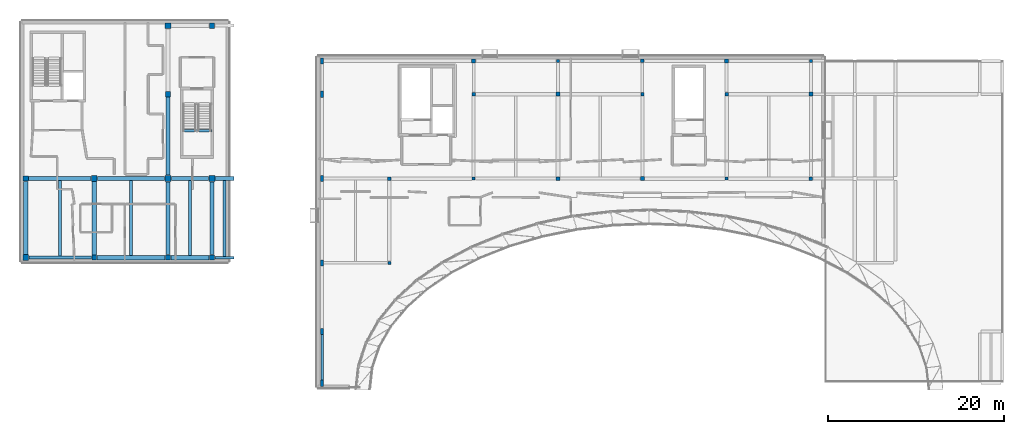
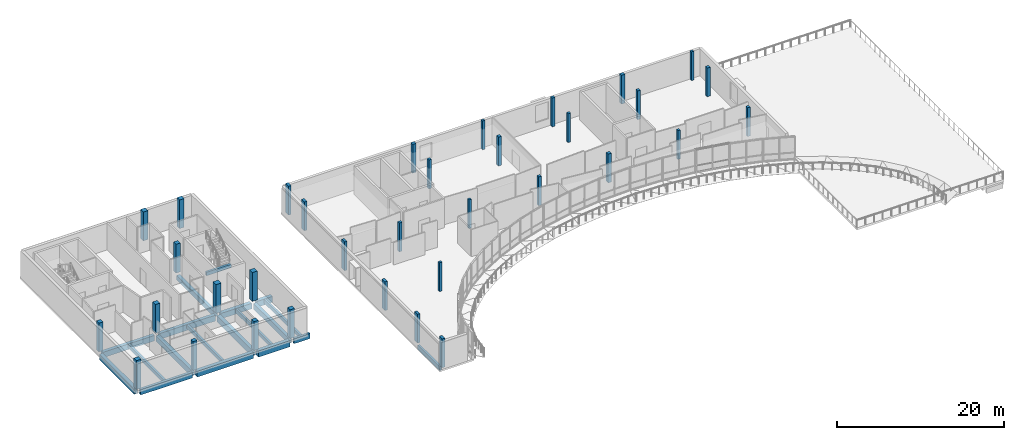
# One storey, part 1 of 18: 34 columns, 19 beams.
"""IFC4 building model written with IfcOpenShell, lengths in metres."""

from ifc_helpers import new_model, si_unit, direction, frame, origin, origin_2d, place, context, subcontext, project, spatial, rectangle, extrude, material, material_profile, profile_set, type_object, element, save


model = new_model("IFC4")

# Units and contexts
model_context = context("Model", 3, precision=1e-05, world=origin(), true_north=direction((0.0, 1.0)))
body_context = subcontext(model_context, "Body", "Model", "MODEL_VIEW")
ifc_project = project(units=[si_unit("LENGTHUNIT", "METRE"), si_unit("AREAUNIT", "SQUARE_METRE"), si_unit("VOLUMEUNIT", "CUBIC_METRE"), si_unit("PLANEANGLEUNIT", "RADIAN"), si_unit("MASSUNIT", "GRAM", prefix="KILO")], contexts=[model_context])

# Site, building, storey
site_placement = place(None, origin())
site = spatial("IfcSite", under=ifc_project, at=site_placement, CompositionType="ELEMENT")
building_placement = place(site_placement, origin())
building = spatial("IfcBuilding", under=site, at=building_placement, Name="Mzevani Central Library", CompositionType="ELEMENT")
storey_placement = place(building_placement, frame((0.0, 0.0, 18.300048828125)))
storey = spatial("IfcBuildingStorey", under=building, at=storey_placement, Name="L04", CompositionType="ELEMENT", Elevation=18.300048828125)

# Columns
ifc_material_1 = material(Name="Concrete C40/50", Category="concrete")
ifc_material_profile_1 = material_profile(ifc_material_1, rectangle(XDim=0.35009765625, YDim=0.35009765625, at=origin_2d()), Name="RC 350x350")
ifc_profile_set_1 = profile_set([ifc_material_profile_1], Name="Concrete C40/50")
column_type_1 = type_object("IfcColumnType", Name="Column RC 350x350", PredefinedType="COLUMN", material=ifc_profile_set_1)
for number, where, z_axis, x_axis, name in (
    (1, (54.39990234375, 90.39990234375, 0.0), (0.0, 0.0, 1.0), (1.0, 0.0, 0.0), "L04 V3 Column C-01 (108)"),
    (2, (64.0, 100.0, 0.0), (0.0, 0.0, 1.0), (1.0, 0.0, 0.0), "L04 V3 Column C-01 (111)"),
    (3, (73.60009765625, 113.39990234375, 0.0), (0.0, 0.0, 1.0), (1.0, 0.0, 0.0), "L04 V3 Column C-01 (117)"),
    (4, (83.199951171875, 109.60009765625, 0.0), (0.0, 0.0, 1.0), (1.0, 0.0, 0.0), "L04 V3 Column C-01 (120)"),
    (5, (92.800048828125, 100.0, 0.0), (0.0, 0.0, 1.0), (1.0, 0.0, 0.0), "L04 V3 Column C-01 (123)"),
    (6, (102.39990234375, 113.39990234375, 0.0), (0.0, 0.0, 1.0), (1.0, 0.0, 0.0), "L04 V3 Column C-01 (129)"),
):
    element("IfcColumn", number, at=place(storey_placement, frame(where, z_axis=z_axis, x_axis=x_axis)), inside=storey, type_object=column_type_1, Name=name, PredefinedType="COLUMN", context=body_context, shape_type="SweptSolid", body=[
        extrude(rectangle(XDim=0.35009765625, YDim=0.35009765625, at=origin_2d()), origin(), (0.0, 0.0, 1.0), 4.199951171875),
    ])
ifc_material_profile_2 = material_profile(ifc_material_1, rectangle(XDim=0.39990234375, YDim=0.39990234375, at=origin_2d()), Name="RC 400x400")
ifc_profile_set_2 = profile_set([ifc_material_profile_2], Name="Concrete C40/50")
column_type_2 = type_object("IfcColumnType", Name="Column RC 400x400", PredefinedType="COLUMN", material=ifc_profile_set_2)
for number, where, z_axis, x_axis, name in (
    (7, (54.39990234375, 100.0, 0.0), (0.0, 0.0, 1.0), (1.0, 0.0, 0.0), "L04 V3 Column C-02 (109)"),
    (8, (64.0, 109.60009765625, 0.0), (0.0, 0.0, 1.0), (1.0, 0.0, 0.0), "L04 V3 Column C-02 (112)"),
    (9, (73.60009765625, 100.0, 0.0), (0.0, 0.0, 1.0), (1.0, 0.0, 0.0), "L04 V3 Column C-02 (115)"),
    (10, (83.199951171875, 113.39990234375, 0.0), (0.0, 0.0, 1.0), (1.0, 0.0, 0.0), "L04 V3 Column C-02 (121)"),
    (11, (92.800048828125, 109.60009765625, 0.0), (0.0, 0.0, 1.0), (1.0, 0.0, 0.0), "L04 V3 Column C-02 (124)"),
    (12, (102.39990234375, 100.0, 0.0), (0.0, 0.0, 1.0), (1.0, 0.0, 0.0), "L04 V3 Column C-02 (127)"),
):
    element("IfcColumn", number, at=place(storey_placement, frame(where, z_axis=z_axis, x_axis=x_axis)), inside=storey, type_object=column_type_2, Name=name, PredefinedType="COLUMN", context=body_context, shape_type="SweptSolid", body=[
        extrude(rectangle(XDim=0.39990234375, YDim=0.39990234375, at=origin_2d()), origin(), (0.0, 0.0, 1.0), 4.199951171875),
    ])
ifc_material_profile_3 = material_profile(ifc_material_1, rectangle(XDim=0.449951171875, YDim=0.449951171875, at=origin_2d()), Name="RC 450x450")
ifc_profile_set_3 = profile_set([ifc_material_profile_3], Name="Concrete C40/50")
column_type_3 = type_object("IfcColumnType", Name="Column RC 450x450", PredefinedType="COLUMN", material=ifc_profile_set_3)
for number, where, z_axis, x_axis, name in (
    (13, (64.0, 113.39990234375, 0.0), (0.0, 0.0, 1.0), (1.0, 0.0, 0.0), "L04 V3 Column C-03 (113)"),
    (14, (73.60009765625, 109.60009765625, 0.0), (0.0, 0.0, 1.0), (1.0, 0.0, 0.0), "L04 V3 Column C-03 (116)"),
    (15, (83.199951171875, 100.0, 0.0), (0.0, 0.0, 1.0), (1.0, 0.0, 0.0), "L04 V3 Column C-03 (119)"),
    (16, (92.800048828125, 113.39990234375, 0.0), (0.0, 0.0, 1.0), (1.0, 0.0, 0.0), "L04 V3 Column C-03 (125)"),
    (17, (102.39990234375, 109.60009765625, 0.0), (0.0, 0.0, 1.0), (1.0, 0.0, 0.0), "L04 V3 Column C-03 (128)"),
):
    element("IfcColumn", number, at=place(storey_placement, frame(where, z_axis=z_axis, x_axis=x_axis)), inside=storey, type_object=column_type_3, Name=name, PredefinedType="COLUMN", context=body_context, shape_type="SweptSolid", body=[
        extrude(rectangle(XDim=0.449951171875, YDim=0.449951171875, at=origin_2d()), origin(), (0.0, 0.0, 1.0), 4.199951171875),
    ])
ifc_material_profile_4 = material_profile(ifc_material_1, rectangle(XDim=0.550048828125, YDim=0.550048828125, at=origin_2d()), Name="RC 550x550")
ifc_profile_set_4 = profile_set([ifc_material_profile_4], Name="Concrete C40/50")
column_type_4 = type_object("IfcColumnType", Name="Column RC 550x550", PredefinedType="COLUMN", material=ifc_profile_set_4)
column_placement = place(storey_placement, frame((20.800048828125, 91.0, 0.0), z_axis=(0.0, 0.0, 1.0), x_axis=(1.0, 0.0, 0.0)))
element("IfcColumn", 18, at=column_placement, inside=storey, type_object=column_type_4, Name="L04 V2 Column C-05 (75)", PredefinedType="COLUMN", context=body_context, shape_type="SweptSolid", body=[
    extrude(rectangle(XDim=0.550048828125, YDim=0.550048828125, at=origin_2d()), origin(), (0.0, 0.0, 1.0), 4.199951171875),
])
ifc_material_profile_5 = material_profile(ifc_material_1, rectangle(XDim=0.60009765625, YDim=0.60009765625, at=origin_2d()), Name="RC 600x600")
ifc_profile_set_5 = profile_set([ifc_material_profile_5], Name="Concrete C40/50")
column_type_5 = type_object("IfcColumnType", Name="Column RC 600x600", PredefinedType="COLUMN", material=ifc_profile_set_5)
for number, where, z_axis, x_axis, name in (
    (19, (13.0, 100.0, 0.0), (0.0, 0.0, 1.0), (1.0, 0.0, 0.0), "L04 V2 Column C-06 (72)"),
    (20, (29.199951171875, 91.0, 0.0), (0.0, 0.0, 1.0), (1.0, 0.0, 0.0), "L04 V2 Column C-06 (79)"),
    (21, (29.199951171875, 109.60009765625, 0.0), (0.0, 0.0, 1.0), (1.0, 0.0, 0.0), "L04 V2 Column C-06 (81)"),
    (22, (34.199951171875, 91.0, 0.0), (0.0, 0.0, 1.0), (1.0, 0.0, 0.0), "L04 V2 Column C-06 (85)"),
    (23, (34.199951171875, 117.39990234375, 0.0), (0.0, 0.0, 1.0), (1.0, 0.0, 0.0), "L04 V2 Column C-06 (87)"),
):
    element("IfcColumn", number, at=place(storey_placement, frame(where, z_axis=z_axis, x_axis=x_axis)), inside=storey, type_object=column_type_5, Name=name, PredefinedType="COLUMN", context=body_context, shape_type="SweptSolid", body=[
        extrude(rectangle(XDim=0.60009765625, YDim=0.60009765625, at=origin_2d()), origin(), (0.0, 0.0, 1.0), 4.199951171875),
    ])
ifc_material_profile_6 = material_profile(ifc_material_1, rectangle(XDim=0.64990234375, YDim=0.64990234375, at=origin_2d()), Name="RC 650x650")
ifc_profile_set_6 = profile_set([ifc_material_profile_6], Name="Concrete C40/50")
column_type_6 = type_object("IfcColumnType", Name="Column RC 650x650", PredefinedType="COLUMN", material=ifc_profile_set_6)
for number, where, z_axis, x_axis, name in (
    (24, (13.0, 91.0, 0.0), (0.0, 0.0, 1.0), (1.0, 0.0, 0.0), "L04 V2 Column C-07 (71)"),
    (25, (20.800048828125, 100.0, 0.0), (0.0, 0.0, 1.0), (1.0, 0.0, 0.0), "L04 V2 Column C-07 (76)"),
    (26, (29.199951171875, 117.39990234375, 0.0), (0.0, 0.0, 1.0), (1.0, 0.0, 0.0), "L04 V2 Column C-07 (82)"),
):
    element("IfcColumn", number, at=place(storey_placement, frame(where, z_axis=z_axis, x_axis=x_axis)), inside=storey, type_object=column_type_6, Name=name, PredefinedType="COLUMN", context=body_context, shape_type="SweptSolid", body=[
        extrude(rectangle(XDim=0.64990234375, YDim=0.64990234375, at=origin_2d()), origin(), (0.0, 0.0, 1.0), 4.199951171875),
    ])
ifc_material_profile_7 = material_profile(ifc_material_1, rectangle(XDim=0.699951171875, YDim=0.699951171875, at=origin_2d()), Name="RC 700x700")
ifc_profile_set_7 = profile_set([ifc_material_profile_7], Name="Concrete C40/50")
column_type_7 = type_object("IfcColumnType", Name="Column RC 700x700", PredefinedType="COLUMN", material=ifc_profile_set_7)
for number, where, z_axis, x_axis, name in (
    (27, (29.199951171875, 100.0, 0.0), (0.0, 0.0, 1.0), (1.0, 0.0, 0.0), "L04 V2 Column C-08 (80)"),
    (28, (34.199951171875, 100.0, 0.0), (0.0, 0.0, 1.0), (1.0, 0.0, 0.0), "L04 V2 Column C-08 (86)"),
):
    element("IfcColumn", number, at=place(storey_placement, frame(where, z_axis=z_axis, x_axis=x_axis)), inside=storey, type_object=column_type_7, Name=name, PredefinedType="COLUMN", context=body_context, shape_type="SweptSolid", body=[
        extrude(rectangle(XDim=0.699951171875, YDim=0.699951171875, at=origin_2d()), origin(), (0.0, 0.0, 1.0), 4.199951171875),
    ])
ifc_material_profile_8 = material_profile(ifc_material_1, rectangle(XDim=0.35009765625, YDim=0.699951171875, at=origin_2d()), Name="RC 350x700")
ifc_profile_set_8 = profile_set([ifc_material_profile_8], Name="Concrete C40/50")
column_type_8 = type_object("IfcColumnType", Name="Joint Twin Column RC 350x700", PredefinedType="COLUMN", material=ifc_profile_set_8)
for number, where, z_axis, x_axis, name in (
    (29, (46.75, 76.699951171875, 0.0), (0.0, 0.0, 1.0), (1.0, 0.0, 0.0), "L04 V3 Column C-18 (100)"),
    (30, (46.75, 82.60009765625, 0.0), (0.0, 0.0, 1.0), (1.0, 0.0, 0.0), "L04 V3 Column C-18 (101)"),
    (31, (46.75, 90.39990234375, 0.0), (0.0, 0.0, 1.0), (1.0, 0.0, 0.0), "L04 V3 Column C-18 (102)"),
    (32, (46.75, 100.0, 0.0), (0.0, 0.0, 1.0), (1.0, 0.0, 0.0), "L04 V3 Column C-18 (103)"),
    (33, (46.75, 109.60009765625, 0.0), (0.0, 0.0, 1.0), (1.0, 0.0, 0.0), "L04 V3 Column C-18 (104)"),
    (34, (46.75, 113.39990234375, 0.0), (0.0, 0.0, 1.0), (1.0, 0.0, 0.0), "L04 V3 Column C-18 (105)"),
):
    element("IfcColumn", number, at=place(storey_placement, frame(where, z_axis=z_axis, x_axis=x_axis)), inside=storey, type_object=column_type_8, Name=name, PredefinedType="COLUMN", context=body_context, shape_type="SweptSolid", body=[
        extrude(rectangle(XDim=0.35009765625, YDim=0.699951171875, at=origin_2d()), origin(), (0.0, 0.0, 1.0), 4.199951171875),
    ])

# Beams
ifc_material_2 = material(Name="Concrete C35/45", Category="concrete")
ifc_material_profile_9 = material_profile(ifc_material_2, rectangle(XDim=0.300048828125, YDim=0.5, at=origin_2d()), Name="RC B300x500")
ifc_profile_set_9 = profile_set([ifc_material_profile_9], Name="Concrete C35/45")
beam_type_1 = type_object("IfcBeamType", Name="Beam RC 300x500", PredefinedType="BEAM", material=ifc_profile_set_9)
beam_1_placement = place(storey_placement, frame((30.780029296875, 105.419921875, 1.64990234375), z_axis=(1.0, 0.0, 0.0), x_axis=(0.0, 1.0, 0.0)))
element("IfcBeam", 35, at=beam_1_placement, inside=storey, type_object=beam_type_1, Name="L04 Core C2B Stacks East Escape Stair Stair Landing Beam 1", PredefinedType="BEAM", context=body_context, shape_type="SweptSolid", body=[
    extrude(rectangle(XDim=0.300048828125, YDim=0.5, at=origin_2d()), origin(), (0.0, 0.0, 1.0), 3.43994140625),
])
ifc_material_profile_10 = material_profile(ifc_material_2, rectangle(XDim=0.300048828125, YDim=0.60009765625, at=origin_2d()), Name="RC B300x600")
ifc_profile_set_10 = profile_set([ifc_material_profile_10], Name="Concrete C35/45")
beam_type_2 = type_object("IfcBeamType", Name="Beam RC 300x600", PredefinedType="BEAM", material=ifc_profile_set_10)
beam_2_placement = place(storey_placement, frame((46.75, 77.050048828125, -0.580078125), z_axis=(0.0, 1.0, 0.0), x_axis=(-1.0, 0.0, 0.0)))
element("IfcBeam", 36, at=beam_2_placement, inside=storey, type_object=beam_type_2, Name="L04 V3 Frame Beam B-03 (730)", PredefinedType="BEAM", context=body_context, shape_type="SweptSolid", body=[
    extrude(rectangle(XDim=0.300048828125, YDim=0.60009765625, at=origin_2d()), origin(), (0.0, 0.0, 1.0), 5.199951171875),
])
ifc_material_3 = material(Name="Precast concrete C40/50", Category="concrete")
ifc_material_profile_11 = material_profile(ifc_material_3, rectangle(XDim=0.35009765625, YDim=0.800048828125, at=origin_2d()), Name="RC SP350x800")
ifc_profile_set_11 = profile_set([ifc_material_profile_11], Name="Precast concrete C40/50")
beam_type_3 = type_object("IfcBeamType", Name="Colonnade Fascia Beam RC 350x800", PredefinedType="SPANDREL", material=ifc_profile_set_11)
beam_3_placement = place(storey_placement, frame((13.35009765625, 91.0, -0.719970703125), z_axis=(1.0, 0.0, 0.0), x_axis=(0.0, 1.0, 0.0)))
element("IfcBeam", 37, at=beam_3_placement, inside=storey, type_object=beam_type_3, Name="L04 V2 Girder SP-02 (375)", PredefinedType="SPANDREL", context=body_context, shape_type="SweptSolid", body=[
    extrude(rectangle(XDim=0.35009765625, YDim=0.800048828125, at=origin_2d()), origin(), (0.0, 0.0, 1.0), 7.14990234375),
])
ifc_material_profile_12 = material_profile(ifc_material_3, rectangle(XDim=0.300048828125, YDim=0.75, at=origin_2d()), Name="RC SP300x750")
ifc_profile_set_12 = profile_set([ifc_material_profile_12], Name="Precast concrete C40/50")
beam_type_4 = type_object("IfcBeamType", Name="Edge Spandrel Beam RC 300x750", PredefinedType="SPANDREL", material=ifc_profile_set_12)
beam_4_placement = place(storey_placement, frame((34.52490234375, 91.0, -0.695068359375), z_axis=(1.0, 0.0, 0.0), x_axis=(0.0, 1.0, 0.0)))
element("IfcBeam", 38, at=beam_4_placement, inside=storey, type_object=beam_type_4, Name="L04 V2 Girder SP-01 (378)", PredefinedType="SPANDREL", context=body_context, shape_type="SweptSolid", body=[
    extrude(rectangle(XDim=0.300048828125, YDim=0.75, at=origin_2d()), origin(), (0.0, 0.0, 1.0), 2.2001953125),
])
ifc_material_profile_13 = material_profile(ifc_material_1, rectangle(XDim=0.449951171875, YDim=0.699951171875, at=origin_2d()), Name="RC B450x700")
ifc_profile_set_13 = profile_set([ifc_material_profile_13], Name="Concrete C40/50")
beam_type_5 = type_object("IfcBeamType", Name="Stack Girder RC 450x700", PredefinedType="BEAM", material=ifc_profile_set_13)
beam_5_placement = place(storey_placement, frame((29.199951171875, 100.375, -0.670166015625), z_axis=(0.0, 1.0, 0.0), x_axis=(-1.0, 0.0, 0.0)))
element("IfcBeam", 39, at=beam_5_placement, inside=storey, type_object=beam_type_5, Name="L04 V2 Frame Beam BG-01 (392)", PredefinedType="BEAM", context=body_context, shape_type="SweptSolid", body=[
    extrude(rectangle(XDim=0.449951171875, YDim=0.699951171875, at=origin_2d()), origin(), (0.0, 0.0, 1.0), 8.89990234375),
])
ifc_material_profile_14 = material_profile(ifc_material_1, rectangle(XDim=0.449951171875, YDim=0.800048828125, at=origin_2d()), Name="RC B450x800")
ifc_profile_set_14 = profile_set([ifc_material_profile_14], Name="Concrete C40/50")
beam_type_6 = type_object("IfcBeamType", Name="Stack Girder RC 450x800", PredefinedType="BEAM", material=ifc_profile_set_14)
beam_6_placement = place(storey_placement, frame((13.324951171875, 100.0, -0.719970703125), z_axis=(1.0, 0.0, 0.0), x_axis=(0.0, 1.0, 0.0)))
element("IfcBeam", 40, at=beam_6_placement, inside=storey, type_object=beam_type_6, Name="L04 V2 Girder BG-03 (380)", PredefinedType="BEAM", context=body_context, shape_type="SweptSolid", body=[
    extrude(rectangle(XDim=0.449951171875, YDim=0.800048828125, at=origin_2d()), origin(), (0.0, 0.0, 1.0), 7.125),
])
beam_7_placement = place(storey_placement, frame((34.199951171875, 91.324951171875, -0.719970703125), z_axis=(0.0, 1.0, 0.0), x_axis=(-1.0, 0.0, 0.0)))
element("IfcBeam", 41, at=beam_7_placement, inside=storey, type_object=beam_type_6, Name="L04 V2 Frame Beam BG-03 (394)", PredefinedType="BEAM", context=body_context, shape_type="SweptSolid", body=[
    extrude(rectangle(XDim=0.449951171875, YDim=0.800048828125, at=origin_2d()), origin(), (0.0, 0.0, 1.0), 8.300048828125),
])
ifc_material_profile_15 = material_profile(ifc_material_1, rectangle(XDim=0.449951171875, YDim=0.85009765625, at=origin_2d()), Name="RC B450x850")
ifc_profile_set_15 = profile_set([ifc_material_profile_15], Name="Concrete C40/50")
beam_type_7 = type_object("IfcBeamType", Name="Stack Girder RC 450x850", PredefinedType="BEAM", material=ifc_profile_set_15)
beam_8_placement = place(storey_placement, frame((21.14990234375, 100.0, -0.7451171875), z_axis=(1.0, 0.0, 0.0), x_axis=(0.0, 1.0, 0.0)))
element("IfcBeam", 42, at=beam_8_placement, inside=storey, type_object=beam_type_7, Name="L04 V2 Girder BG-04 (381)", PredefinedType="BEAM", context=body_context, shape_type="SweptSolid", body=[
    extrude(rectangle(XDim=0.449951171875, YDim=0.85009765625, at=origin_2d()), origin(), (0.0, 0.0, 1.0), 7.675048828125),
])
ifc_material_profile_16 = material_profile(ifc_material_1, rectangle(XDim=0.5, YDim=0.800048828125, at=origin_2d()), Name="RC B500x800")
ifc_profile_set_16 = profile_set([ifc_material_profile_16], Name="Concrete C40/50")
beam_type_8 = type_object("IfcBeamType", Name="Stack Girder RC 500x800", PredefinedType="BEAM", material=ifc_profile_set_16)
beam_9_placement = place(storey_placement, frame((29.574951171875, 100.0, -0.719970703125), z_axis=(1.0, 0.0, 0.0), x_axis=(0.0, 1.0, 0.0)))
element("IfcBeam", 43, at=beam_9_placement, inside=storey, type_object=beam_type_8, Name="L04 V2 Girder BG-05 (382)", PredefinedType="BEAM", context=body_context, shape_type="SweptSolid", body=[
    extrude(rectangle(XDim=0.5, YDim=0.800048828125, at=origin_2d()), origin(), (0.0, 0.0, 1.0), 4.25),
])
beam_10_placement = place(storey_placement, frame((13.0, 91.35009765625, -0.719970703125), z_axis=(0.0, 1.0, 0.0), x_axis=(-1.0, 0.0, 0.0)))
element("IfcBeam", 44, at=beam_10_placement, inside=storey, type_object=beam_type_8, Name="L04 V2 Frame Beam BG-05 (389)", PredefinedType="BEAM", context=body_context, shape_type="SweptSolid", body=[
    extrude(rectangle(XDim=0.5, YDim=0.800048828125, at=origin_2d()), origin(), (0.0, 0.0, 1.0), 8.324951171875),
])
ifc_material_profile_17 = material_profile(ifc_material_1, rectangle(XDim=0.5, YDim=0.85009765625, at=origin_2d()), Name="RC B500x850")
ifc_profile_set_17 = profile_set([ifc_material_profile_17], Name="Concrete C40/50")
beam_type_9 = type_object("IfcBeamType", Name="Stack Girder RC 500x850", PredefinedType="BEAM", material=ifc_profile_set_17)
beam_11_placement = place(storey_placement, frame((21.10009765625, 91.0, -0.7451171875), z_axis=(1.0, 0.0, 0.0), x_axis=(0.0, 1.0, 0.0)))
element("IfcBeam", 45, at=beam_11_placement, inside=storey, type_object=beam_type_9, Name="L04 V2 Girder BG-06 (376)", PredefinedType="BEAM", context=body_context, shape_type="SweptSolid", body=[
    extrude(rectangle(XDim=0.5, YDim=0.85009765625, at=origin_2d()), origin(), (0.0, 0.0, 1.0), 7.77490234375),
])
beam_12_placement = place(storey_placement, frame((34.574951171875, 100.0, -0.7451171875), z_axis=(1.0, 0.0, 0.0), x_axis=(0.0, 1.0, 0.0)))
element("IfcBeam", 46, at=beam_12_placement, inside=storey, type_object=beam_type_9, Name="L04 V2 Girder BG-06 (383)", PredefinedType="BEAM", context=body_context, shape_type="SweptSolid", body=[
    extrude(rectangle(XDim=0.5, YDim=0.85009765625, at=origin_2d()), origin(), (0.0, 0.0, 1.0), 2.125),
])
beam_13_placement = place(storey_placement, frame((20.800048828125, 91.300048828125, -0.7451171875), z_axis=(0.0, 1.0, 0.0), x_axis=(-1.0, 0.0, 0.0)))
element("IfcBeam", 47, at=beam_13_placement, inside=storey, type_object=beam_type_9, Name="L04 V2 Frame Beam BG-06 (390)", PredefinedType="BEAM", context=body_context, shape_type="SweptSolid", body=[
    extrude(rectangle(XDim=0.5, YDim=0.85009765625, at=origin_2d()), origin(), (0.0, 0.0, 1.0), 8.349853515625),
])
ifc_material_profile_18 = material_profile(ifc_material_1, rectangle(XDim=0.5, YDim=0.89990234375, at=origin_2d()), Name="RC B500x900")
ifc_profile_set_18 = profile_set([ifc_material_profile_18], Name="Concrete C40/50")
beam_type_10 = type_object("IfcBeamType", Name="Stack Girder RC 500x900", PredefinedType="BEAM", material=ifc_profile_set_18)
beam_14_placement = place(storey_placement, frame((29.52490234375, 91.0, -0.77001953125), z_axis=(1.0, 0.0, 0.0), x_axis=(0.0, 1.0, 0.0)))
element("IfcBeam", 48, at=beam_14_placement, inside=storey, type_object=beam_type_10, Name="L04 V2 Girder BG-07 (377)", PredefinedType="BEAM", context=body_context, shape_type="SweptSolid", body=[
    extrude(rectangle(XDim=0.5, YDim=0.89990234375, at=origin_2d()), origin(), (0.0, 0.0, 1.0), 4.35009765625),
])
beam_15_placement = place(storey_placement, frame((29.199951171875, 91.324951171875, -0.77001953125), z_axis=(0.0, 1.0, 0.0), x_axis=(-1.0, 0.0, 0.0)))
element("IfcBeam", 49, at=beam_15_placement, inside=storey, type_object=beam_type_10, Name="L04 V2 Frame Beam BG-07 (391)", PredefinedType="BEAM", context=body_context, shape_type="SweptSolid", body=[
    extrude(rectangle(XDim=0.5, YDim=0.89990234375, at=origin_2d()), origin(), (0.0, 0.0, 1.0), 8.300048828125),
])
ifc_material_profile_19 = material_profile(ifc_material_1, rectangle(XDim=0.300048828125, YDim=0.52001953125, at=origin_2d()), Name="RC J300x520")
ifc_profile_set_19 = profile_set([ifc_material_profile_19], Name="Concrete C40/50")
beam_type_11 = type_object("IfcBeamType", Name="Stack Joist RC 300x520", PredefinedType="JOIST", material=ifc_profile_set_19)
beam_16_placement = place(storey_placement, frame((16.89990234375, 91.175048828125, -0.580078125), z_axis=(0.0, 1.0, 0.0), x_axis=(-1.0, 0.0, 0.0)))
element("IfcBeam", 50, at=beam_16_placement, inside=storey, type_object=beam_type_11, Name="L04 V2 Floor Joist BJ-04 (401)", PredefinedType="JOIST", context=body_context, shape_type="SweptSolid", body=[
    extrude(rectangle(XDim=0.300048828125, YDim=0.52001953125, at=origin_2d()), origin(), (0.0, 0.0, 1.0), 8.599853515625),
])
beam_17_placement = place(storey_placement, frame((24.987548828125, 91.25, -0.580078125), z_axis=(0.0, 1.0, 0.0), x_axis=(-1.0, 0.0, 0.0)))
element("IfcBeam", 51, at=beam_17_placement, inside=storey, type_object=beam_type_11, Name="L04 V2 Floor Joist BJ-04 (402)", PredefinedType="JOIST", context=body_context, shape_type="SweptSolid", body=[
    extrude(rectangle(XDim=0.300048828125, YDim=0.52001953125, at=origin_2d()), origin(), (0.0, 0.0, 1.0), 8.52490234375),
])
beam_18_placement = place(storey_placement, frame((31.699951171875, 91.25, -0.580078125), z_axis=(0.0, 1.0, 0.0), x_axis=(-1.0, 0.0, 0.0)))
element("IfcBeam", 52, at=beam_18_placement, inside=storey, type_object=beam_type_11, Name="L04 V2 Floor Joist BJ-04 (403)", PredefinedType="JOIST", context=body_context, shape_type="SweptSolid", body=[
    extrude(rectangle(XDim=0.300048828125, YDim=0.52001953125, at=origin_2d()), origin(), (0.0, 0.0, 1.0), 8.5),
])
beam_19_placement = place(storey_placement, frame((35.637451171875, 91.14990234375, -0.580078125), z_axis=(0.0, 1.0, 0.0), x_axis=(-1.0, 0.0, 0.0)))
element("IfcBeam", 53, at=beam_19_placement, inside=storey, type_object=beam_type_11, Name="L04 V2 Floor Joist BJ-04 (404)", PredefinedType="JOIST", context=body_context, shape_type="SweptSolid", body=[
    extrude(rectangle(XDim=0.300048828125, YDim=0.52001953125, at=origin_2d()), origin(), (0.0, 0.0, 1.0), 8.60009765625),
])

save(model, "model.ifc")
